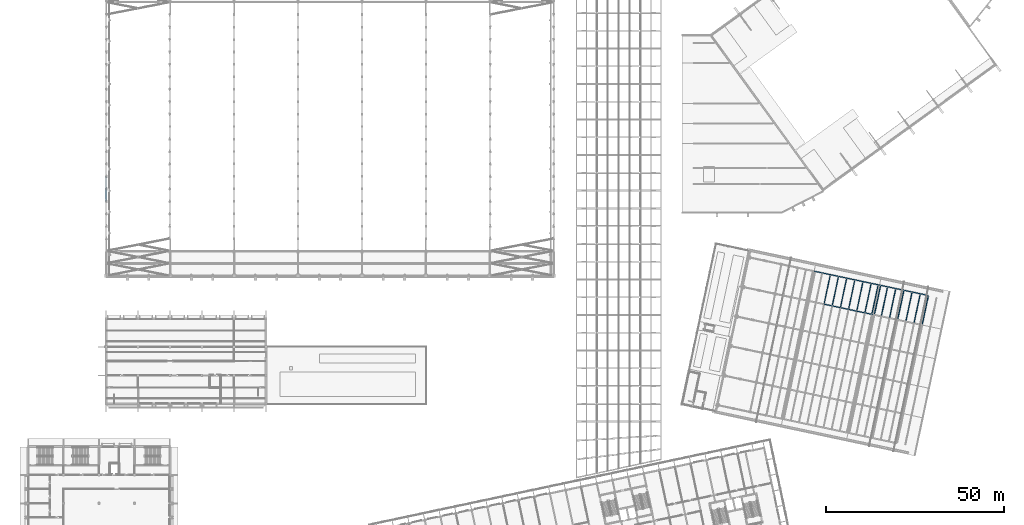
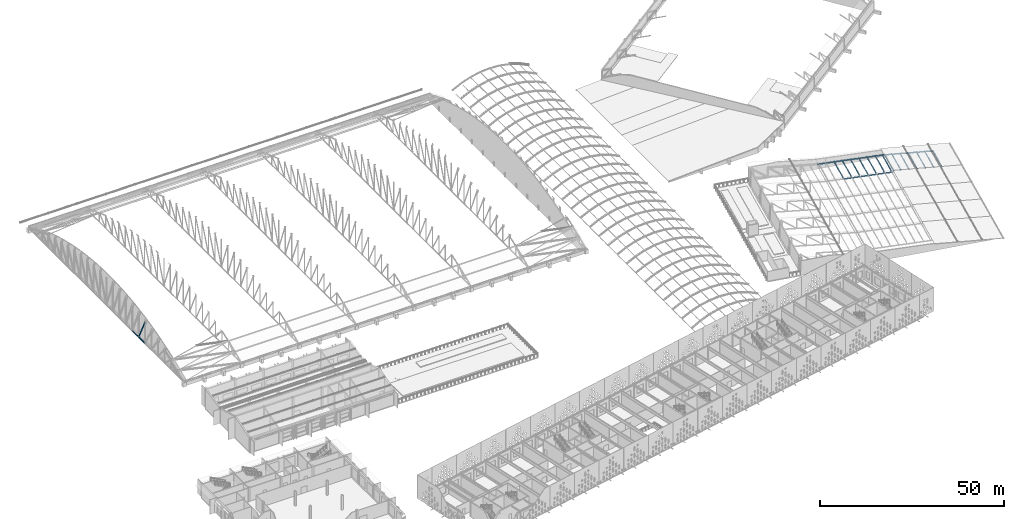
# One storey, part 56 of 196: 26 members.
"""IFC4 building model written with IfcOpenShell, lengths in metres."""

from ifc_helpers import new_model, si_unit, direction, frame, origin, origin_2d, place, context, subcontext, project, spatial, hollow_rectangle, hollow_circle, extrude, material, material_profile, profile_set, type_object, element, save


model = new_model("IFC4")

# Units and contexts
model_context = context("Model", 3, precision=1e-05, world=origin(), true_north=direction((0.0, 1.0)))
body_context = subcontext(model_context, "Body", "Model", "MODEL_VIEW")
ifc_project = project(units=[si_unit("LENGTHUNIT", "METRE"), si_unit("AREAUNIT", "SQUARE_METRE"), si_unit("VOLUMEUNIT", "CUBIC_METRE"), si_unit("PLANEANGLEUNIT", "RADIAN"), si_unit("MASSUNIT", "GRAM", prefix="KILO")], contexts=[model_context])

# Site, building, storey
site_placement = place(None, origin())
site = spatial("IfcSite", under=ifc_project, at=site_placement, CompositionType="ELEMENT")
building_placement = place(site_placement, origin())
building = spatial("IfcBuilding", under=site, at=building_placement, Name="Okhra Congress Centre", CompositionType="ELEMENT")
storey_placement = place(building_placement, frame((0.0, 0.0, 12.0)))
storey = spatial("IfcBuildingStorey", under=building, at=storey_placement, Name="L02", CompositionType="ELEMENT", Elevation=12.0)

# Members
ifc_material_1 = material(Name="Steel S355J2H", Category="steel")
ifc_material_profile_1 = material_profile(ifc_material_1, hollow_circle(Radius=0.109619140625, WallThickness=0.010009765625, at=origin_2d()), Name="CHS 219.1x10.0")
ifc_profile_set_1 = profile_set([ifc_material_profile_1], Name="Steel S355J2H")
member_type_1 = type_object("IfcMemberType", Name="CHS 219.1x10.0", PredefinedType="BRACE", material=ifc_profile_set_1)
member_1_placement = place(storey_placement, frame((28.0, 153.083740234375, 8.365234375), z_axis=(0.0, 0.440367038805, -0.897817838503), x_axis=(-1.0, 0.0, 0.0)))
element("IfcMember", 1, at=member_1_placement, inside=storey, type_object=member_type_1, Name="EH.MEM.L02.T1-DIA-06", PredefinedType="BRACE", context=body_context, shape_type="SweptSolid", body=[
    extrude(hollow_circle(Radius=0.109619140625, WallThickness=0.010009765625, at=origin_2d()), origin(), (0.0, 0.0, 1.0), 7.559814453125),
])
ifc_material_profile_2 = material_profile(ifc_material_1, hollow_circle(Radius=0.177734375, WallThickness=0.01611328125, at=origin_2d()), Name="CHS 355.6x16.0")
ifc_profile_set_2 = profile_set([ifc_material_profile_2], Name="Steel S355J2H")
member_type_2 = type_object("IfcMemberType", Name="CHS 355.6x16.0", PredefinedType="CHORD", material=ifc_profile_set_2)
member_2_placement = place(storey_placement, frame((28.0, 153.0, 1.39990234375), z_axis=(0.0, 1.0, 0.0), x_axis=(-1.0, 0.0, 0.0)))
element("IfcMember", 2, at=member_2_placement, inside=storey, type_object=member_type_2, Name="EH.MEM.L02.T1-BOT-04", PredefinedType="CHORD", context=body_context, shape_type="SweptSolid", body=[
    extrude(hollow_circle(Radius=0.177734375, WallThickness=0.01611328125, at=origin_2d()), origin(), (0.0, 0.0, 1.0), 7.0),
])
ifc_material_2 = material(Name="Steel S355J2", Category="steel")
ifc_material_profile_3 = material_profile(ifc_material_2, hollow_rectangle(XDim=0.14990234375, YDim=0.25, WallThickness=0.008056640625, at=origin_2d()), Name="RHS 250x150x8")
ifc_profile_set_3 = profile_set([ifc_material_profile_3], Name="Steel S355J2")
member_type_3 = type_object("IfcMemberType", Name="Steel roof purlin RHS 250x150x8", PredefinedType="PURLIN", material=ifc_profile_set_3)
member_3_placement = place(storey_placement, frame((230.050537109375, 124.18896484375, 2.971923828125), z_axis=(0.2079021972, 0.978149618616, 0.0), x_axis=(-0.976809098559, 0.207617274464, 0.052335956243)))
element("IfcMember", 3, at=member_3_placement, inside=storey, type_object=member_type_3, Name="Roof purlin 5.12", PredefinedType="PURLIN", context=body_context, shape_type="SweptSolid", body=[
    extrude(hollow_rectangle(XDim=0.14990234375, YDim=0.25, WallThickness=0.008056640625, at=origin_2d()), origin(), (0.0, 0.0, 1.0), 8.2001953125),
])
for number, where, z_axis, x_axis, name in (
    (4, (232.34912109375, 123.700439453125, 2.848876953125), (0.207908251916, 0.978148331689, 0.0), (-0.976807813395, 0.207623320882, 0.052335956243), "Roof purlin 5.13"),
    (5, (234.647705078125, 123.2119140625, 2.7255859375), (0.207908251916, 0.978148331689, 0.0), (-0.976807813395, 0.207623320882, 0.052335956243), "Roof purlin 5.14"),
    (6, (236.9462890625, 122.723388671875, 2.6025390625), (0.207908251916, 0.978148331689, 0.0), (-0.976807813395, 0.207623320882, 0.052335956243), "Roof purlin 5.15"),
    (7, (239.2451171875, 122.234619140625, 2.479248046875), (0.207908251916, 0.978148331689, 0.0), (-0.976807813395, 0.207623320882, 0.052335956243), "Roof purlin 5.16"),
    (8, (241.543701171875, 121.74609375, 2.356201171875), (0.207908251916, 0.978148331689, 0.0), (-0.976807813395, 0.207623320882, 0.052335956243), "Roof purlin 5.17"),
    (9, (243.5, 121.330322265625, 2.251220703125), (0.207908251916, 0.978148331689, 0.0), (-0.976807813395, 0.207623320882, 0.052335956243), "Roof purlin 5.18"),
):
    element("IfcMember", number, at=place(storey_placement, frame(where, z_axis=z_axis, x_axis=x_axis)), inside=storey, type_object=member_type_3, Name=name, PredefinedType="PURLIN", context=body_context, shape_type="SweptSolid", body=[
        extrude(hollow_rectangle(XDim=0.14990234375, YDim=0.25, WallThickness=0.008056640625, at=origin_2d()), origin(), (0.0, 0.0, 1.0), 8.199951171875),
    ])
member_4_placement = place(storey_placement, frame((244.203369140625, 121.1806640625, 2.188232421875), z_axis=(0.2079021972, 0.978149618616, 0.0), x_axis=(-0.970858639687, 0.206352525748, 0.121869343405)))
element("IfcMember", 10, at=member_4_placement, inside=storey, type_object=member_type_3, Name="Roof purlin 5.19", PredefinedType="PURLIN", context=body_context, shape_type="SweptSolid", body=[
    extrude(hollow_rectangle(XDim=0.14990234375, YDim=0.25, WallThickness=0.008056640625, at=origin_2d()), origin(), (0.0, 0.0, 1.0), 8.2001953125),
])
for number, where, z_axis, x_axis, name in (
    (11, (246.15966796875, 120.764892578125, 1.94287109375), (0.207908251916, 0.978148331689, 0.0), (-0.970857362352, 0.206358535333, 0.121869343405), "Roof purlin 5.20"),
    (12, (248.458251953125, 120.2763671875, 1.654296875), (0.207908251916, 0.978148331689, 0.0), (-0.970857362352, 0.206358535333, 0.121869343405), "Roof purlin 5.21"),
    (13, (250.7568359375, 119.787841796875, 1.36572265625), (0.207936738153, 0.978142276423, 0.0), (-0.970851352222, 0.206386809239, 0.121869343405), "Roof purlin 5.22"),
):
    element("IfcMember", number, at=place(storey_placement, frame(where, z_axis=z_axis, x_axis=x_axis)), inside=storey, type_object=member_type_3, Name=name, PredefinedType="PURLIN", context=body_context, shape_type="SweptSolid", body=[
        extrude(hollow_rectangle(XDim=0.14990234375, YDim=0.25, WallThickness=0.008056640625, at=origin_2d()), origin(), (0.0, 0.0, 1.0), 8.199951171875),
    ])
member_5_placement = place(storey_placement, frame((253.0556640625, 119.299072265625, 1.0771484375), z_axis=(0.2079021972, 0.978149618616, 0.0), x_axis=(-0.970858639687, 0.206352525748, 0.121869343405)))
element("IfcMember", 14, at=member_5_placement, inside=storey, type_object=member_type_3, Name="Roof purlin 5.23", PredefinedType="PURLIN", context=body_context, shape_type="SweptSolid", body=[
    extrude(hollow_rectangle(XDim=0.14990234375, YDim=0.25, WallThickness=0.008056640625, at=origin_2d()), origin(), (0.0, 0.0, 1.0), 8.2001953125),
])
for number, where, z_axis, x_axis, name in (
    (15, (255.354248046875, 118.810546875, 0.78857421875), (0.207908251916, 0.978148331689, 0.0), (-0.970857362352, 0.206358535333, 0.121869343405), "Roof purlin 5.24"),
    (16, (257.65283203125, 118.322021484375, 0.5), (0.207908251916, 0.978148331689, 0.0), (-0.970857362352, 0.206358535333, 0.121869343405), "Roof purlin 5.25"),
):
    element("IfcMember", number, at=place(storey_placement, frame(where, z_axis=z_axis, x_axis=x_axis)), inside=storey, type_object=member_type_3, Name=name, PredefinedType="PURLIN", context=body_context, shape_type="SweptSolid", body=[
        extrude(hollow_rectangle(XDim=0.14990234375, YDim=0.25, WallThickness=0.008056640625, at=origin_2d()), origin(), (0.0, 0.0, 1.0), 8.199951171875),
    ])
ifc_material_profile_4 = material_profile(ifc_material_2, hollow_rectangle(XDim=0.300048828125, YDim=0.300048828125, WallThickness=0.01611328125, at=origin_2d()), Name="RHS 300x300x16")
ifc_profile_set_4 = profile_set([ifc_material_profile_4], Name="Steel S355J2")
member_type_4 = type_object("IfcMemberType", Name="Steel truss chord RHS 300x300x16", PredefinedType="CHORD", material=ifc_profile_set_4)
member_6_placement = place(storey_placement, frame((230.005126953125, 124.04541015625, 2.697265625), z_axis=(0.976803265923, -0.207643963331, -0.052338935549), x_axis=(0.207928955205, 0.978143930916, 0.0)))
element("IfcMember", 17, at=member_6_placement, inside=storey, type_object=member_type_4, Name="Hall truss 5 top chord 6", PredefinedType="CHORD", context=body_context, shape_type="SweptSolid", body=[
    extrude(hollow_rectangle(XDim=0.300048828125, YDim=0.300048828125, WallThickness=0.01611328125, at=origin_2d()), origin(), (0.0, 0.0, 1.0), 4.70654296875),
])
member_7_placement = place(storey_placement, frame((234.6025390625, 123.068115234375, 2.450927734375), z_axis=(0.9768114081, -0.207604846267, -0.052342151395), x_axis=(0.20788981954, 0.978152249362, 0.0)))
element("IfcMember", 18, at=member_7_placement, inside=storey, type_object=member_type_4, Name="Hall truss 5 top chord 7", PredefinedType="CHORD", context=body_context, shape_type="SweptSolid", body=[
    extrude(hollow_rectangle(XDim=0.300048828125, YDim=0.300048828125, WallThickness=0.01611328125, at=origin_2d()), origin(), (0.0, 0.0, 1.0), 4.706298828125),
])
for number, where, z_axis, x_axis, name in (
    (19, (239.19970703125, 122.091064453125, 2.20458984375), (0.976803265923, -0.207643963331, -0.052338935549), (0.207928955205, 0.978143930916, 0.0), "Hall truss 5 top chord 8"),
    (20, (227.175048828125, 133.336669921875, 2.943603515625), (0.976813785854, -0.20759432696, -0.052339499226), (0.207879256857, 0.978154494223, 0.0), "Hall truss 6 top chord 5"),
):
    element("IfcMember", number, at=place(storey_placement, frame(where, z_axis=z_axis, x_axis=x_axis)), inside=storey, type_object=member_type_4, Name=name, PredefinedType="CHORD", context=body_context, shape_type="SweptSolid", body=[
        extrude(hollow_rectangle(XDim=0.300048828125, YDim=0.300048828125, WallThickness=0.01611328125, at=origin_2d()), origin(), (0.0, 0.0, 1.0), 4.70654296875),
    ])
member_8_placement = place(storey_placement, frame((231.7724609375, 132.359619140625, 2.697265625), z_axis=(0.976800887128, -0.207654484927, -0.052341587632), x_axis=(0.207939520185, 0.978141685005, 0.0)))
element("IfcMember", 21, at=member_8_placement, inside=storey, type_object=member_type_4, Name="Hall truss 6 top chord 6", PredefinedType="CHORD", context=body_context, shape_type="SweptSolid", body=[
    extrude(hollow_rectangle(XDim=0.300048828125, YDim=0.300048828125, WallThickness=0.01611328125, at=origin_2d()), origin(), (0.0, 0.0, 1.0), 4.706298828125),
])
member_9_placement = place(storey_placement, frame((236.36962890625, 131.38232421875, 2.450927734375), z_axis=(0.976813785854, -0.20759432696, -0.052339499226), x_axis=(0.207879256857, 0.978154494223, 0.0)))
element("IfcMember", 22, at=member_9_placement, inside=storey, type_object=member_type_4, Name="Hall truss 6 top chord 7", PredefinedType="CHORD", context=body_context, shape_type="SweptSolid", body=[
    extrude(hollow_rectangle(XDim=0.300048828125, YDim=0.300048828125, WallThickness=0.01611328125, at=origin_2d()), origin(), (0.0, 0.0, 1.0), 4.70654296875),
])
member_10_placement = place(storey_placement, frame((240.967041015625, 130.4052734375, 2.20458984375), z_axis=(0.976800887128, -0.207654484927, -0.052341587632), x_axis=(0.207939520185, 0.978141685005, 0.0)))
element("IfcMember", 23, at=member_10_placement, inside=storey, type_object=member_type_4, Name="Hall truss 6 top chord 8", PredefinedType="CHORD", context=body_context, shape_type="SweptSolid", body=[
    extrude(hollow_rectangle(XDim=0.300048828125, YDim=0.300048828125, WallThickness=0.01611328125, at=origin_2d()), origin(), (0.0, 0.0, 1.0), 4.706298828125),
])
member_11_placement = place(storey_placement, frame((245.564208984375, 129.427978515625, 1.958251953125), z_axis=(0.97086832379, -0.206330786034, -0.121828997351), x_axis=(0.207879256857, 0.978154494223, 0.0)))
element("IfcMember", 24, at=member_11_placement, inside=storey, type_object=member_type_4, Name="Hall truss 6 top chord 9", PredefinedType="CHORD", context=body_context, shape_type="SweptSolid", body=[
    extrude(hollow_rectangle(XDim=0.300048828125, YDim=0.300048828125, WallThickness=0.01611328125, at=origin_2d()), origin(), (0.0, 0.0, 1.0), 4.7353515625),
])
member_12_placement = place(storey_placement, frame((250.16162109375, 128.450927734375, 1.38134765625), z_axis=(0.970848933654, -0.206389181169, -0.121884592627), x_axis=(0.207939520185, 0.978141685005, 0.0)))
element("IfcMember", 25, at=member_12_placement, inside=storey, type_object=member_type_4, Name="Hall truss 6 top chord 10", PredefinedType="CHORD", context=body_context, shape_type="SweptSolid", body=[
    extrude(hollow_rectangle(XDim=0.300048828125, YDim=0.300048828125, WallThickness=0.01611328125, at=origin_2d()), origin(), (0.0, 0.0, 1.0), 4.735107421875),
])
member_13_placement = place(storey_placement, frame((254.7587890625, 127.4736328125, 0.80419921875), z_axis=(0.970862224409, -0.206329489782, -0.121879788567), x_axis=(0.207879256857, 0.978154494223, 0.0)))
element("IfcMember", 26, at=member_13_placement, inside=storey, type_object=member_type_4, Name="Hall truss 6 top chord 11", PredefinedType="CHORD", context=body_context, shape_type="SweptSolid", body=[
    extrude(hollow_rectangle(XDim=0.300048828125, YDim=0.300048828125, WallThickness=0.01611328125, at=origin_2d()), origin(), (0.0, 0.0, 1.0), 4.7353515625),
])

save(model, "model.ifc")
